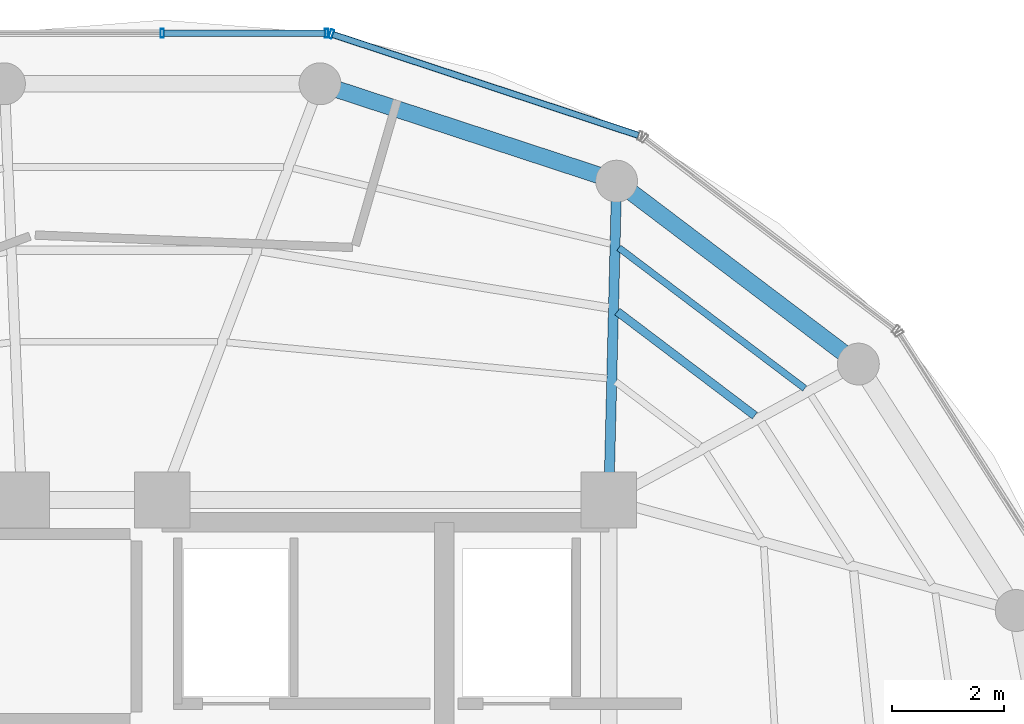
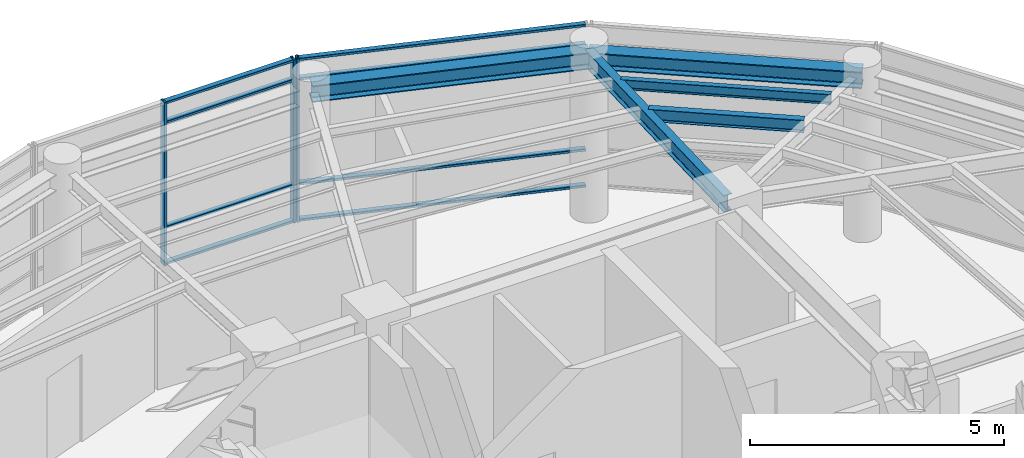
# One storey, part 13 of 19: 11 members, 5 beams, 2 elements without a shape of their own.
"""IFC4 building model written with IfcOpenShell, lengths in metres."""

from ifc_helpers import new_model, si_unit, direction, frame, origin, origin_2d, place, context, subcontext, project, spatial, hollow_rectangle, i_section, extrude, material, layer, layer_set, material_profile, profile_set, type_object, element, aggregate, save


model = new_model("IFC4")

# Units and contexts
model_context = context("Model", 3, precision=1e-05, world=origin(), true_north=direction((0.0, 1.0)))
body_context = subcontext(model_context, "Body", "Model", "MODEL_VIEW")
ifc_project = project(units=[si_unit("LENGTHUNIT", "METRE"), si_unit("AREAUNIT", "SQUARE_METRE"), si_unit("VOLUMEUNIT", "CUBIC_METRE"), si_unit("PLANEANGLEUNIT", "RADIAN"), si_unit("MASSUNIT", "GRAM", prefix="KILO")], contexts=[model_context])

# Site, building, storey
site_placement = place(None, origin())
site = spatial("IfcSite", under=ifc_project, at=site_placement, CompositionType="ELEMENT")
building_placement = place(site_placement, origin())
building = spatial("IfcBuilding", under=site, at=building_placement, Name="Kelanora Arch Commons", CompositionType="ELEMENT")
storey_placement = place(building_placement, frame((0.0, 0.0, 302.699951171875)))
storey = spatial("IfcBuildingStorey", under=building, at=storey_placement, Name="L77", CompositionType="ELEMENT", Elevation=302.699951171875)

# Beams
ifc_material_1 = material(Name="Steel S355", Category="steel")
ifc_material_profile_1 = material_profile(ifc_material_1, i_section(OverallWidth=0.14990234375, OverallDepth=0.300048828125, WebThickness=0.007080078125, FlangeThickness=0.0107421875, FilletRadius=0.014892578125, at=origin_2d()), Name="IPE300")
ifc_profile_set_1 = profile_set([ifc_material_profile_1], Name="Steel S355")
beam_type_1 = type_object("IfcBeamType", Name="BM-JST-01", PredefinedType="JOIST", material=ifc_profile_set_1)
beam_1_placement = place(storey_placement, frame((84.614990234375, 66.512939453125, 3.7900390625), z_axis=(-0.797441333972, 0.603396485632, 0.0), x_axis=(-0.603396485632, -0.797441333972, 0.0)))
element("IfcBeam", 1, at=beam_1_placement, inside=storey, type_object=beam_type_1, Name="Secondary Chord Joist BJB-04 L77", PredefinedType="JOIST", context=body_context, shape_type="SweptSolid", body=[
    extrude(i_section(OverallWidth=0.14990234375, OverallDepth=0.300048828125, WebThickness=0.007080078125, FlangeThickness=0.0107421875, FilletRadius=0.014892578125, at=origin_2d()), origin(), (0.0, 0.0, 1.0), 3.0888671875),
])
ifc_material_profile_2 = material_profile(ifc_material_1, i_section(OverallWidth=0.1201171875, OverallDepth=0.239990234375, WebThickness=0.006103515625, FlangeThickness=0.009765625, FilletRadius=0.014892578125, at=origin_2d()), Name="IPE240")
ifc_profile_set_2 = profile_set([ifc_material_profile_2], Name="Steel S355")
beam_type_2 = type_object("IfcBeamType", Name="BM-JST-02", PredefinedType="JOIST", material=ifc_profile_set_2)
beam_2_placement = place(storey_placement, frame((85.50927734375, 67.000244140625, 3.820068359375), z_axis=(-0.797480905842, 0.603344184373, 0.0), x_axis=(-0.603344184373, -0.797480905842, 0.0)))
element("IfcBeam", 2, at=beam_2_placement, inside=storey, type_object=beam_type_2, Name="Secondary Chord Joist BJC-04 L77", PredefinedType="JOIST", context=body_context, shape_type="SweptSolid", body=[
    extrude(i_section(OverallWidth=0.1201171875, OverallDepth=0.239990234375, WebThickness=0.006103515625, FlangeThickness=0.009765625, FilletRadius=0.014892578125, at=origin_2d()), origin(), (0.0, 0.0, 1.0), 4.175048828125),
])
ifc_material_profile_3 = material_profile(ifc_material_1, i_section(OverallWidth=0.179931640625, OverallDepth=0.39990234375, WebThickness=0.008544921875, FlangeThickness=0.013427734375, FilletRadius=0.02099609375, at=origin_2d()), Name="IPE400")
ifc_profile_set_3 = profile_set([ifc_material_profile_3], Name="Steel S355")
beam_type_3 = type_object("IfcBeamType", Name="BM-RAD-Z5", PredefinedType="BEAM", material=ifc_profile_set_3)
beam_3_placement = place(storey_placement, frame((82.0, 65.0, 3.739990234375), z_axis=(0.0244777504, 0.99970037498, 0.0), x_axis=(-0.99970037498, 0.0244777504, 0.0)))
element("IfcBeam", 3, at=beam_3_placement, inside=storey, type_object=beam_type_3, Name="Radial Floor Girder BR-06 L77", PredefinedType="BEAM", context=body_context, shape_type="SweptSolid", body=[
    extrude(i_section(OverallWidth=0.179931640625, OverallDepth=0.39990234375, WebThickness=0.008544921875, FlangeThickness=0.013427734375, FilletRadius=0.02099609375, at=origin_2d()), origin(), (0.0, 0.0, 1.0), 5.715087890625),
])
ifc_material_profile_4 = material_profile(ifc_material_1, i_section(OverallWidth=0.300048828125, OverallDepth=0.39990234375, WebThickness=0.013427734375, FlangeThickness=0.02392578125, FilletRadius=0.027099609375, at=origin_2d()), Name="HEB400")
ifc_profile_set_4 = profile_set([ifc_material_profile_4], Name="Steel S355")
beam_type_4 = type_object("IfcBeamType", Name="BM-SPN-Z4", PredefinedType="SPANDREL", material=ifc_profile_set_4)
beam_4_placement = place(storey_placement, frame((86.47119140625, 67.43603515625, 3.739990234375), z_axis=(-0.797441458309, 0.603396321309, 0.0), x_axis=(-0.603396321309, -0.797441458309, 0.0)))
element("IfcBeam", 4, at=beam_4_placement, inside=storey, type_object=beam_type_4, Name="Perimeter Spandrel Beam BS-04 L77", PredefinedType="SPANDREL", context=body_context, shape_type="SweptSolid", body=[
    extrude(i_section(OverallWidth=0.300048828125, OverallDepth=0.39990234375, WebThickness=0.013427734375, FlangeThickness=0.02392578125, FilletRadius=0.027099609375, at=origin_2d()), origin(), (0.0, 0.0, 1.0), 5.431396484375),
])
beam_5_placement = place(storey_placement, frame((82.139892578125, 70.71337890625, 3.739990234375), z_axis=(-0.950140083071, 0.311823383572, 0.0), x_axis=(-0.311823383572, -0.950140083071, 0.0)))
element("IfcBeam", 5, at=beam_5_placement, inside=storey, type_object=beam_type_4, Name="Perimeter Spandrel Beam BS-06 L77", PredefinedType="SPANDREL", context=body_context, shape_type="SweptSolid", body=[
    extrude(i_section(OverallWidth=0.300048828125, OverallDepth=0.39990234375, WebThickness=0.013427734375, FlangeThickness=0.02392578125, FilletRadius=0.027099609375, at=origin_2d()), origin(), (0.0, 0.0, 1.0), 5.591796875),
])

# Curtain wall, member
ifc_material_2 = material(Name="Terracotta ceramic-fritted low-E glass and aluminium", Category="masonry")
ifc_layer = layer(ifc_material_2, 0.14990234375)
ifc_layer_set = layer_set([ifc_layer], Name="Terracotta ceramic-fritted low-E glass and aluminium")
curtain_wall_type = type_object("IfcCurtainWallType", Name="CW-SYS-06", PredefinedType="NOTDEFINED", material=ifc_layer_set)
curtain_wall_1_placement = place(storey_placement, origin())
curtain_wall_1 = element("IfcCurtainWall", 6, at=curtain_wall_1_placement, inside=storey, type_object=curtain_wall_type, Name="Unitised Curtain Wall L77-B03", PredefinedType="NOTDEFINED")
ifc_material_3 = material(Name="Powder-coated aluminium terracotta", Category="masonry")
ifc_material_profile_5 = material_profile(ifc_material_3, hollow_rectangle(XDim=0.159912109375, YDim=0.06005859375, WallThickness=0.0048828125, InnerFilletRadius=0.0048828125, OuterFilletRadius=0.010009765625, at=origin_2d()), Name="CWM160x60")
ifc_profile_set_5 = profile_set([ifc_material_profile_5], Name="Powder-coated aluminium terracotta")
member_type_1 = type_object("IfcMemberType", Name="CWM-STD", PredefinedType="MULLION", material=ifc_profile_set_5)
member_1_placement = place(storey_placement, frame((77.029296875, 73.348876953125, 0.0), z_axis=(0.0, 0.0, 1.0), x_axis=(-0.313466845323, -0.949599145368, 0.0)))
member_1 = element("IfcMember", 7, at=member_1_placement, type_object=member_type_1, Name="CW-06 mullion 2", PredefinedType="MULLION", context=body_context, shape_type="SweptSolid", body=[
    extrude(hollow_rectangle(XDim=0.159912109375, YDim=0.06005859375, WallThickness=0.0048828125, InnerFilletRadius=0.0048828125, OuterFilletRadius=0.010009765625, at=origin_2d()), origin(), (0.0, 0.0, 1.0), 3.925048828125),
])

# Curtain wall, members
curtain_wall_2_placement = place(storey_placement, origin())
curtain_wall_2 = element("IfcCurtainWall", 8, at=curtain_wall_2_placement, inside=storey, type_object=curtain_wall_type, Name="Unitised Curtain Wall L77-B04", PredefinedType="NOTDEFINED")
member_2_placement = place(storey_placement, frame((76.941650390625, 73.363037109375, 0.0), z_axis=(0.0, 0.0, 1.0), x_axis=(0.0, -1.0, 0.0)))
member_2 = element("IfcMember", 9, at=member_2_placement, type_object=member_type_1, Name="CW-06 mullion 1", PredefinedType="MULLION", context=body_context, shape_type="SweptSolid", body=[
    extrude(hollow_rectangle(XDim=0.159912109375, YDim=0.06005859375, WallThickness=0.0048828125, InnerFilletRadius=0.0048828125, OuterFilletRadius=0.010009765625, at=origin_2d()), origin(), (0.0, 0.0, 1.0), 3.925048828125),
])
member_3_placement = place(storey_placement, frame((74.0, 73.363037109375, 0.0), z_axis=(0.0, 0.0, 1.0), x_axis=(0.0, -1.0, 0.0)))
member_3 = element("IfcMember", 10, at=member_3_placement, type_object=member_type_1, Name="CW-06 mullion 2", PredefinedType="MULLION", context=body_context, shape_type="SweptSolid", body=[
    extrude(hollow_rectangle(XDim=0.159912109375, YDim=0.06005859375, WallThickness=0.0048828125, InnerFilletRadius=0.0048828125, OuterFilletRadius=0.010009765625, at=origin_2d()), origin(), (0.0, 0.0, 1.0), 3.925048828125),
])

# Member
ifc_material_profile_6 = material_profile(ifc_material_3, hollow_rectangle(XDim=0.1201171875, YDim=0.06005859375, WallThickness=0.0048828125, InnerFilletRadius=0.0048828125, OuterFilletRadius=0.010009765625, at=origin_2d()), Name="CWT120x60")
ifc_profile_set_6 = profile_set([ifc_material_profile_6], Name="Powder-coated aluminium terracotta")
member_type_2 = type_object("IfcMemberType", Name="CWT-STD", PredefinedType="USERDEFINED", material=ifc_profile_set_6)
member_4_placement = place(storey_placement, frame((82.52880859375, 71.533447265625, 0.030029296875), z_axis=(-0.949590431956, 0.31349324002, 0.0), x_axis=(-0.31349324002, -0.949590431956, 0.0)))
member_4 = element("IfcMember", 11, at=member_4_placement, type_object=member_type_2, Name="CW-06 transom 1.1", ObjectType="TRANSOM", PredefinedType="USERDEFINED", context=body_context, shape_type="SweptSolid", body=[
    extrude(hollow_rectangle(XDim=0.1201171875, YDim=0.06005859375, WallThickness=0.0048828125, InnerFilletRadius=0.0048828125, OuterFilletRadius=0.010009765625, at=origin_2d()), origin(), (0.0, 0.0, 1.0), 5.761474609375),
])

member_5_placement = place(storey_placement, frame((82.52880859375, 71.533447265625, 0.900146484375), z_axis=(-0.949590431956, 0.31349324002, 0.0), x_axis=(-0.31349324002, -0.949590431956, 0.0)))
member_5 = element("IfcMember", 12, at=member_5_placement, type_object=member_type_2, Name="CW-06 transom 1.2", ObjectType="TRANSOM", PredefinedType="USERDEFINED", context=body_context, shape_type="SweptSolid", body=[
    extrude(hollow_rectangle(XDim=0.1201171875, YDim=0.06005859375, WallThickness=0.0048828125, InnerFilletRadius=0.0048828125, OuterFilletRadius=0.010009765625, at=origin_2d()), origin(), (0.0, 0.0, 1.0), 5.761474609375),
])

member_6_placement = place(storey_placement, frame((82.52880859375, 71.533447265625, 3.425048828125), z_axis=(-0.949590431956, 0.31349324002, 0.0), x_axis=(-0.31349324002, -0.949590431956, 0.0)))
member_6 = element("IfcMember", 13, at=member_6_placement, type_object=member_type_2, Name="CW-06 transom 1.3", ObjectType="TRANSOM", PredefinedType="USERDEFINED", context=body_context, shape_type="SweptSolid", body=[
    extrude(hollow_rectangle(XDim=0.1201171875, YDim=0.06005859375, WallThickness=0.0048828125, InnerFilletRadius=0.0048828125, OuterFilletRadius=0.010009765625, at=origin_2d()), origin(), (0.0, 0.0, 1.0), 5.761474609375),
])

member_7_placement = place(storey_placement, frame((82.52880859375, 71.533447265625, 3.89501953125), z_axis=(-0.949590431956, 0.31349324002, 0.0), x_axis=(-0.31349324002, -0.949590431956, 0.0)))
member_7 = element("IfcMember", 14, at=member_7_placement, type_object=member_type_2, Name="CW-06 transom 1.4", ObjectType="TRANSOM", PredefinedType="USERDEFINED", context=body_context, shape_type="SweptSolid", body=[
    extrude(hollow_rectangle(XDim=0.1201171875, YDim=0.06005859375, WallThickness=0.0048828125, InnerFilletRadius=0.0048828125, OuterFilletRadius=0.010009765625, at=origin_2d()), origin(), (0.0, 0.0, 1.0), 5.761474609375),
])

aggregate(curtain_wall_1, [member_1, member_4, member_5, member_6, member_7])

member_8_placement = place(storey_placement, frame((76.91162109375, 73.363037109375, 0.030029296875), z_axis=(-1.0, 0.0, 0.0), x_axis=(0.0, -1.0, 0.0)))
member_8 = element("IfcMember", 15, at=member_8_placement, type_object=member_type_2, Name="CW-06 transom 1.1", ObjectType="TRANSOM", PredefinedType="USERDEFINED", context=body_context, shape_type="SweptSolid", body=[
    extrude(hollow_rectangle(XDim=0.1201171875, YDim=0.06005859375, WallThickness=0.0048828125, InnerFilletRadius=0.0048828125, OuterFilletRadius=0.010009765625, at=origin_2d()), origin(), (0.0, 0.0, 1.0), 2.881591796875),
])

member_9_placement = place(storey_placement, frame((76.91162109375, 73.363037109375, 0.900146484375), z_axis=(-1.0, 0.0, 0.0), x_axis=(0.0, -1.0, 0.0)))
member_9 = element("IfcMember", 16, at=member_9_placement, type_object=member_type_2, Name="CW-06 transom 1.2", ObjectType="TRANSOM", PredefinedType="USERDEFINED", context=body_context, shape_type="SweptSolid", body=[
    extrude(hollow_rectangle(XDim=0.1201171875, YDim=0.06005859375, WallThickness=0.0048828125, InnerFilletRadius=0.0048828125, OuterFilletRadius=0.010009765625, at=origin_2d()), origin(), (0.0, 0.0, 1.0), 2.881591796875),
])

member_10_placement = place(storey_placement, frame((76.91162109375, 73.363037109375, 3.425048828125), z_axis=(-1.0, 0.0, 0.0), x_axis=(0.0, -1.0, 0.0)))
member_10 = element("IfcMember", 17, at=member_10_placement, type_object=member_type_2, Name="CW-06 transom 1.3", ObjectType="TRANSOM", PredefinedType="USERDEFINED", context=body_context, shape_type="SweptSolid", body=[
    extrude(hollow_rectangle(XDim=0.1201171875, YDim=0.06005859375, WallThickness=0.0048828125, InnerFilletRadius=0.0048828125, OuterFilletRadius=0.010009765625, at=origin_2d()), origin(), (0.0, 0.0, 1.0), 2.881591796875),
])

member_11_placement = place(storey_placement, frame((76.91162109375, 73.363037109375, 3.89501953125), z_axis=(-1.0, 0.0, 0.0), x_axis=(0.0, -1.0, 0.0)))
member_11 = element("IfcMember", 18, at=member_11_placement, type_object=member_type_2, Name="CW-06 transom 1.4", ObjectType="TRANSOM", PredefinedType="USERDEFINED", context=body_context, shape_type="SweptSolid", body=[
    extrude(hollow_rectangle(XDim=0.1201171875, YDim=0.06005859375, WallThickness=0.0048828125, InnerFilletRadius=0.0048828125, OuterFilletRadius=0.010009765625, at=origin_2d()), origin(), (0.0, 0.0, 1.0), 2.881591796875),
])

aggregate(curtain_wall_2, [member_2, member_3, member_8, member_9, member_10, member_11])

save(model, "model.ifc")
